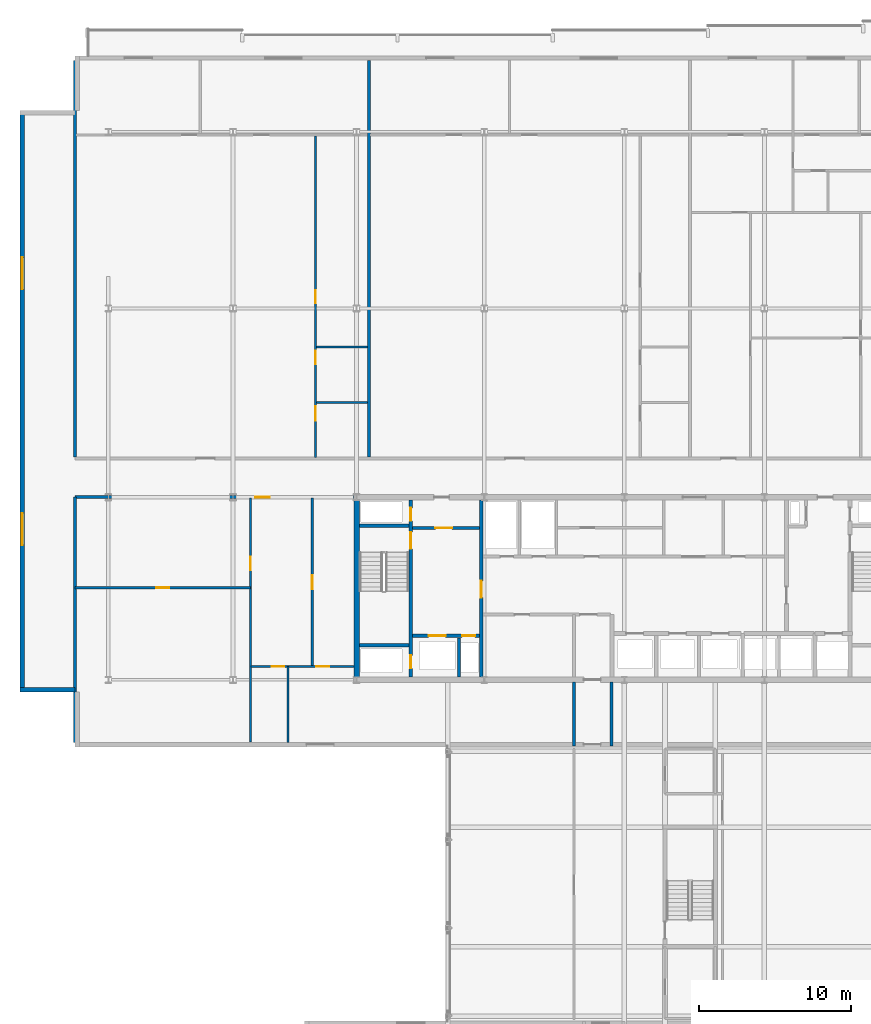
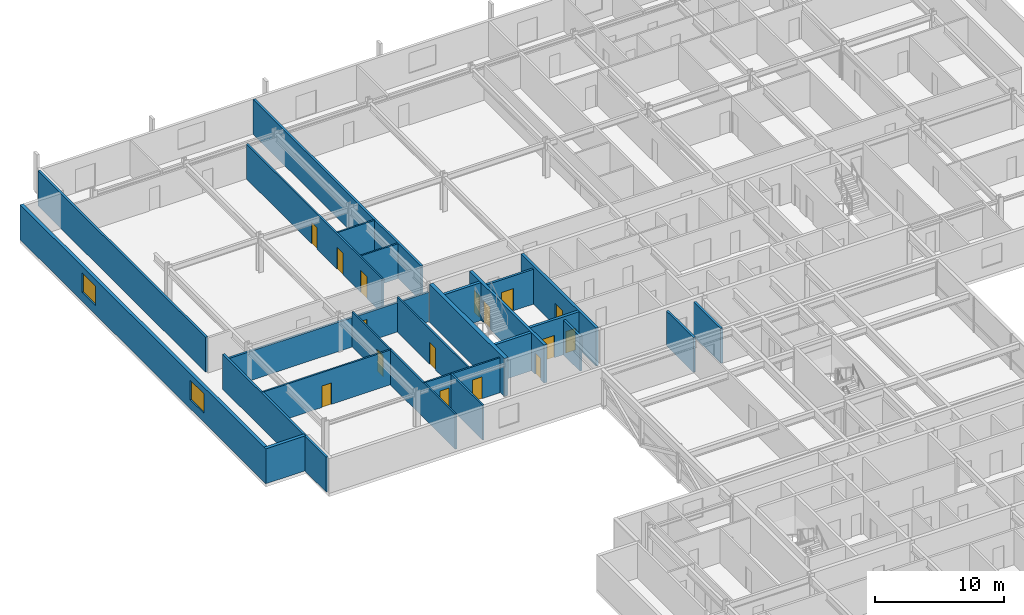
# One storey, part 24 of 36: 24 walls, 16 doors, 2 windows, 18 openings.
"""IFC4 building model written with IfcOpenShell, lengths in metres."""

from ifc_helpers import new_model, si_unit, direction, frame, frame_2d, origin, place, context, subcontext, project, spatial, rectangle, extrude, material, layer, layer_set, type_object, element, fill, save


model = new_model("IFC4")

# Units and contexts
model_context = context("Model", 3, precision=1e-05, world=origin(), true_north=direction((0.0, 1.0)))
body_context = subcontext(model_context, "Body", "Model", "MODEL_VIEW")
ifc_project = project(units=[si_unit("LENGTHUNIT", "METRE"), si_unit("AREAUNIT", "SQUARE_METRE"), si_unit("VOLUMEUNIT", "CUBIC_METRE"), si_unit("PLANEANGLEUNIT", "RADIAN"), si_unit("MASSUNIT", "GRAM", prefix="KILO")], contexts=[model_context])

# Site, building, storey
site_placement = place(None, origin())
site = spatial("IfcSite", under=ifc_project, at=site_placement, CompositionType="ELEMENT")
building_placement = place(site_placement, origin())
building = spatial("IfcBuilding", under=site, at=building_placement, Name="Korimba Cascade Residences", CompositionType="ELEMENT")
storey_placement = place(building_placement, frame((0.0, 0.0, 142.89990234375)))
storey = spatial("IfcBuildingStorey", under=building, at=storey_placement, Name="L41", CompositionType="ELEMENT", Elevation=142.89990234375)

# Wall, openings, windows
ifc_material_1 = material(Name="Precast concrete C40/50", Category="concrete")
ifc_layer_1 = layer(ifc_material_1, 0.300048828125)
ifc_layer_set_1 = layer_set([ifc_layer_1], Name="Precast concrete C40/50")
wall_type_1 = type_object("IfcWallType", Name="EW-STONE-300", PredefinedType="STANDARD", material=ifc_layer_set_1)
wall_1_placement = place(storey_placement, frame((54.14990234375, 92.60009765625, 0.0), z_axis=(0.0, 0.0, 1.0), x_axis=(0.0, -1.0, 0.0)))
wall_1 = element("IfcWall", 1, at=wall_1_placement, inside=storey, type_object=wall_type_1, Name="L41 T1 Perimeter Stone Wall E09", PredefinedType="STANDARD", context=body_context, shape_type="SweptSolid", body=[
    extrude(rectangle(XDim=38.2001953125, YDim=0.300048828125, at=frame_2d((19.10009765625, 0.0))), origin(), (0.0, 0.0, 1.0), 3.31005859375),
])
opening_1_placement = place(wall_1_placement, frame((9.64599609375, 0.0, 0.85009765625)))
opening_1 = element("IfcOpeningElement", 2, at=opening_1_placement, cuts=wall_1, Name="Opening W-03", PredefinedType="OPENING", context=body_context, shape_type="SweptSolid", body=[
    extrude(rectangle(XDim=2.10009765625, YDim=1.85009765625, at=frame_2d((1.050048828125, 0.925048828125))), frame((0.0, 0.16015625, 0.0), z_axis=(0.0, -1.0, 0.0), x_axis=(1.0, 0.0, 0.0)), (0.0, 0.0, 1.0), 0.320068359375),
])
opening_2_placement = place(wall_1_placement, frame((26.4541015625, 0.0, 0.85009765625)))
opening_2 = element("IfcOpeningElement", 3, at=opening_2_placement, cuts=wall_1, Name="Opening W-03", PredefinedType="OPENING", context=body_context, shape_type="SweptSolid", body=[
    extrude(rectangle(XDim=2.10009765625, YDim=1.85009765625, at=frame_2d((1.050048828125, 0.925048828125))), frame((0.0, 0.16015625, 0.0), z_axis=(0.0, -1.0, 0.0), x_axis=(1.0, 0.0, 0.0)), (0.0, 0.0, 1.0), 0.320068359375),
])
ifc_material_2 = material(Name="Double-Glazed Aluminium Window", Category="aluminium")
window_type = type_object("IfcWindowType", Name="WIN-CRN-2100", PartitioningType="DOUBLE_PANEL_HORIZONTAL", PredefinedType="WINDOW", material=ifc_material_2)
window_1_placement = place(opening_1_placement, origin())
window_1 = element("IfcWindow", 4, at=window_1_placement, inside=storey, type_object=window_type, Name="L41 T1 End View Window 9.1", OverallHeight=1.85009765625, OverallWidth=2.10009765625, PartitioningType="DOUBLE_PANEL_HORIZONTAL", PredefinedType="WINDOW", context=body_context, shape_type="SweptSolid", body=[
    extrude(rectangle(XDim=2.10009765625, YDim=1.85009765625, at=frame_2d((1.050048828125, 0.925048828125))), frame((0.0, 0.030029296875, 0.0), z_axis=(0.0, -1.0, 0.0), x_axis=(1.0, 0.0, 0.0)), (0.0, 0.0, 1.0), 0.06005859375),
])
fill(opening_1, window_1)
window_2_placement = place(opening_2_placement, origin())
window_2 = element("IfcWindow", 5, at=window_2_placement, inside=storey, type_object=window_type, Name="L41 T1 End View Window 9.2", OverallHeight=1.85009765625, OverallWidth=2.10009765625, PartitioningType="DOUBLE_PANEL_HORIZONTAL", PredefinedType="WINDOW", context=body_context, shape_type="SweptSolid", body=[
    extrude(rectangle(XDim=2.10009765625, YDim=1.85009765625, at=frame_2d((1.050048828125, 0.925048828125))), frame((0.0, 0.030029296875, 0.0), z_axis=(0.0, -1.0, 0.0), x_axis=(1.0, 0.0, 0.0)), (0.0, 0.0, 1.0), 0.06005859375),
])
fill(opening_2, window_2)

# Walls
wall_2_placement = place(storey_placement, frame((54.0, 54.550048828125, 0.0), z_axis=(0.0, 0.0, 1.0), x_axis=(1.0, 0.0, 0.0)))
element("IfcWall", 6, at=wall_2_placement, inside=storey, type_object=wall_type_1, Name="L41 T1 Perimeter Stone Wall E10", PredefinedType="STANDARD", context=body_context, shape_type="SweptSolid", body=[
    extrude(rectangle(XDim=3.60009765625, YDim=0.300048828125, at=frame_2d((1.800048828125, 0.0))), origin(), (0.0, 0.0, 1.0), 3.31005859375),
])
ifc_material_3 = material(Name="Concrete C65/80", Category="concrete")
ifc_layer_2 = layer(ifc_material_3, 0.35009765625)
ifc_layer_set_2 = layer_set([ifc_layer_2], Name="Concrete C65/80")
wall_type_2 = type_object("IfcWallType", Name="WAL-CORE-350", PredefinedType="SHEAR", material=ifc_layer_set_2)
wall_3_placement = place(storey_placement, frame((76.125, 55.375, 0.0), z_axis=(0.0, 0.0, 1.0), x_axis=(0.0, 1.0, 0.0)))
element("IfcWall", 7, at=wall_3_placement, inside=storey, type_object=wall_type_2, Name="L41 Core Shear Wall CW-L41-T1-W", PredefinedType="SHEAR", context=body_context, shape_type="SweptSolid", body=[
    extrude(rectangle(XDim=11.64990234375, YDim=0.35009765625, at=frame_2d((5.824951171875, 0.0))), origin(), (0.0, 0.0, 1.0), 3.60009765625),
])
ifc_layer_3 = layer(ifc_material_1, 0.199951171875)
ifc_layer_set_3 = layer_set([ifc_layer_3], Name="Precast concrete C40/50")
wall_type_3 = type_object("IfcWallType", Name="WAL-IT-200", PredefinedType="PARTITIONING", material=ifc_layer_set_3)
wall_4_placement = place(storey_placement, frame((57.60009765625, 51.10009765625, 0.0), z_axis=(0.0, 0.0, 1.0), x_axis=(0.0, 1.0, 0.0)))
element("IfcWall", 8, at=wall_4_placement, inside=storey, type_object=wall_type_3, Name="L41 Partition Wall WAL-L41-T1-FW-WL", PredefinedType="PARTITIONING", context=body_context, shape_type="SweptSolid", body=[
    extrude(rectangle(XDim=16.099853515625, YDim=0.199951171875, at=frame_2d((8.0498046875, 0.0))), origin(), (0.0, 0.0, 1.0), 3.31005859375),
])

# Wall, opening, door
wall_5_placement = place(storey_placement, frame((57.60009765625, 67.199951171875, 0.0), z_axis=(0.0, 0.0, 1.0), x_axis=(1.0, 0.0, 0.0)))
wall_5 = element("IfcWall", 9, at=wall_5_placement, inside=storey, type_object=wall_type_3, Name="L41 Partition Wall WAL-L41-T1-FW-N", PredefinedType="PARTITIONING", context=body_context, shape_type="SweptSolid", body=[
    extrude(rectangle(XDim=18.349853515625, YDim=0.199951171875, at=frame_2d((9.1748046875, 0.0))), origin(), (0.0, 0.0, 1.0), 2.7734375),
])
opening_3_placement = place(wall_5_placement, frame((11.8701171875, 0.0, 0.0)))
opening_3 = element("IfcOpeningElement", 10, at=opening_3_placement, cuts=wall_5, Name="Opening D-UN1", PredefinedType="OPENING", context=body_context, shape_type="SweptSolid", body=[
    extrude(rectangle(XDim=0.949951171875, YDim=2.14990234375, at=frame_2d((0.47509765625, 1.074951171875))), frame((0.0, 0.10986328125, 0.0), z_axis=(0.0, -1.0, 0.0), x_axis=(1.0, 0.0, 0.0)), (0.0, 0.0, 1.0), 0.219970703125),
])
ifc_material_4 = material(Name="Fire-Rated Hardwood Apartment Entrance Door", Category="wood")
door_type_1 = type_object("IfcDoorType", Name="DR-FD60-950", OperationType="NOTDEFINED", PredefinedType="DOOR", material=ifc_material_4)
door_1_placement = place(opening_3_placement, origin())
door_1 = element("IfcDoor", 11, at=door_1_placement, inside=storey, type_object=door_type_1, Name="L41-T1-FW Entrance Door", OperationType="SINGLE_SWING_RIGHT", OverallHeight=2.14990234375, OverallWidth=0.949951171875, PredefinedType="DOOR", context=body_context, shape_type="SweptSolid", body=[
    extrude(rectangle(XDim=0.949951171875, YDim=2.14990234375, at=frame_2d((0.47509765625, 1.074951171875))), frame((0.0, 0.02490234375, 0.0), z_axis=(0.0, -1.0, 0.0), x_axis=(1.0, 0.0, 0.0)), (0.0, 0.0, 1.0), 0.050048828125),
])
fill(opening_3, door_1)

# Walls
for number, where, z_axis, x_axis, name in (
    (12, (57.60009765625, 69.830078125, 0.0), (0.0, 0.0, 1.0), (0.0, 1.0, 0.0), "L41 Partition Wall WAL-L41-T1-BNDWL"),
    (13, (76.914306640625, 69.830078125, 0.0), (0.0, 0.0, 1.0), (0.0, 1.0, 0.0), "L41 Partition Wall WAL-L41-T1-DEM-1"),
):
    element("IfcWall", number, at=place(storey_placement, frame(where, z_axis=z_axis, x_axis=x_axis)), inside=storey, type_object=wall_type_3, Name=name, PredefinedType="PARTITIONING", context=body_context, shape_type="SweptSolid", body=[
        extrude(rectangle(XDim=26.06982421875, YDim=0.199951171875, at=frame_2d((13.034912109375, 0.0))), origin(), (0.0, 0.0, 1.0), 3.31005859375),
    ])

# Wall, opening, door
ifc_material_5 = material(Name="Insulated Acoustic Stud Partition", Category="gypsum")
ifc_layer_4 = layer(ifc_material_5, 0.14990234375)
ifc_layer_set_4 = layer_set([ifc_layer_4], Name="Insulated Acoustic Stud Partition")
wall_type_4 = type_object("IfcWallType", Name="WAL-PART-150", PredefinedType="PARTITIONING", material=ifc_layer_set_4)
wall_6_placement = place(storey_placement, frame((57.60009765625, 61.25, 0.0), z_axis=(0.0, 0.0, 1.0), x_axis=(1.0, 0.0, 0.0)))
wall_6 = element("IfcWall", 14, at=wall_6_placement, inside=storey, type_object=wall_type_4, Name="L41 Partition Wall WAL-L41-T1-FW-STH", PredefinedType="PARTITIONING", context=body_context, shape_type="SweptSolid", body=[
    extrude(rectangle(XDim=11.5498046875, YDim=0.14990234375, at=frame_2d((5.77490234375, 0.0))), origin(), (0.0, 0.0, 1.0), 3.31005859375),
])
opening_4_placement = place(wall_6_placement, frame((5.35498046875, 0.0, 0.0)))
opening_4 = element("IfcOpeningElement", 15, at=opening_4_placement, cuts=wall_6, Name="Opening D-BT1", PredefinedType="OPENING", context=body_context, shape_type="SweptSolid", body=[
    extrude(rectangle(XDim=0.840087890625, YDim=2.0400390625, at=frame_2d((0.419921875, 1.02001953125))), frame((0.0, 0.0849609375, 0.0), z_axis=(0.0, -1.0, 0.0), x_axis=(1.0, 0.0, 0.0)), (0.0, 0.0, 1.0), 0.169921875),
])
ifc_material_6 = material(Name="Moisture-Resistant Bathroom Timber Door", Category="wood")
door_type_2 = type_object("IfcDoorType", Name="DR-INT-850", OperationType="NOTDEFINED", PredefinedType="DOOR", material=ifc_material_6)
door_2_placement = place(opening_4_placement, origin())
door_2 = element("IfcDoor", 16, at=door_2_placement, inside=storey, type_object=door_type_2, Name="L41-T1-FW Dressing Store Door", OperationType="SINGLE_SWING_LEFT", OverallHeight=2.0400390625, OverallWidth=0.840087890625, PredefinedType="DOOR", context=body_context, shape_type="SweptSolid", body=[
    extrude(rectangle(XDim=0.840087890625, YDim=2.0400390625, at=frame_2d((0.419921875, 1.02001953125))), frame((0.0, 0.02490234375, 0.0), z_axis=(0.0, -1.0, 0.0), x_axis=(1.0, 0.0, 0.0)), (0.0, 0.0, 1.0), 0.050048828125),
])
fill(opening_4, door_2)

wall_7_placement = place(storey_placement, frame((69.14990234375, 51.10009765625, 0.0), z_axis=(0.0, 0.0, 1.0), x_axis=(0.0, 1.0, 0.0)))
wall_7 = element("IfcWall", 17, at=wall_7_placement, inside=storey, type_object=wall_type_4, Name="L41 Partition Wall WAL-L41-T1-FW-STV", PredefinedType="PARTITIONING", context=body_context, shape_type="SweptSolid", body=[
    extrude(rectangle(XDim=16.0498046875, YDim=0.14990234375, at=frame_2d((8.02490234375, 0.0))), origin(), (0.0, 0.0, 1.0), 3.31005859375),
])
opening_5_placement = place(wall_7_placement, frame((11.300048828125, 0.0, 0.0)))
opening_5 = element("IfcOpeningElement", 18, at=opening_5_placement, cuts=wall_7, Name="Opening D-IN2", PredefinedType="OPENING", context=body_context, shape_type="SweptSolid", body=[
    extrude(rectangle(XDim=0.8798828125, YDim=2.06005859375, at=frame_2d((0.43994140625, 1.030029296875))), frame((0.0, 0.0849609375, 0.0), z_axis=(0.0, -1.0, 0.0), x_axis=(1.0, 0.0, 0.0)), (0.0, 0.0, 1.0), 0.169921875),
])
ifc_material_7 = material(Name="Acoustic Timber Bedroom Door", Category="wood")
door_type_3 = type_object("IfcDoorType", Name="DR-INT-880", OperationType="NOTDEFINED", PredefinedType="DOOR", material=ifc_material_7)
door_3_placement = place(opening_5_placement, origin())
door_3 = element("IfcDoor", 19, at=door_3_placement, inside=storey, type_object=door_type_3, Name="L41-T1-FW Study Door", OperationType="SINGLE_SWING_RIGHT", OverallHeight=2.06005859375, OverallWidth=0.8798828125, PredefinedType="DOOR", context=body_context, shape_type="SweptSolid", body=[
    extrude(rectangle(XDim=0.8798828125, YDim=2.06005859375, at=frame_2d((0.43994140625, 1.030029296875))), frame((0.0, 0.02490234375, 0.0), z_axis=(0.0, -1.0, 0.0), x_axis=(1.0, 0.0, 0.0)), (0.0, 0.0, 1.0), 0.050048828125),
])
fill(opening_5, door_3)

wall_8_placement = place(storey_placement, frame((73.199951171875, 56.070068359375, 0.0), z_axis=(0.0, 0.0, 1.0), x_axis=(0.0, 1.0, 0.0)))
wall_8 = element("IfcWall", 20, at=wall_8_placement, inside=storey, type_object=wall_type_4, Name="L41 Partition Wall WAL-L41-T1-FW-VN", PredefinedType="PARTITIONING", context=body_context, shape_type="SweptSolid", body=[
    extrude(rectangle(XDim=11.079833984375, YDim=0.14990234375, at=frame_2d((5.5400390625, 0.0))), origin(), (0.0, 0.0, 1.0), 3.31005859375),
])
opening_6_placement = place(wall_8_placement, frame((5.080078125, 0.0, 0.0)))
opening_6 = element("IfcOpeningElement", 21, at=opening_6_placement, cuts=wall_8, Name="Opening D-IN1", PredefinedType="OPENING", context=body_context, shape_type="SweptSolid", body=[
    extrude(rectangle(XDim=0.919921875, YDim=2.080078125, at=frame_2d((0.4599609375, 1.0400390625))), frame((0.0, 0.0849609375, 0.0), z_axis=(0.0, -1.0, 0.0), x_axis=(1.0, 0.0, 0.0)), (0.0, 0.0, 1.0), 0.169921875),
])
ifc_material_8 = material(Name="Acoustic Timber Living Door", Category="wood")
door_type_4 = type_object("IfcDoorType", Name="DR-INT-920", OperationType="NOTDEFINED", PredefinedType="DOOR", material=ifc_material_8)
door_4_placement = place(opening_6_placement, origin())
door_4 = element("IfcDoor", 22, at=door_4_placement, inside=storey, type_object=door_type_4, Name="L41-T1-FW Living Door", OperationType="SINGLE_SWING_LEFT", OverallHeight=2.080078125, OverallWidth=0.919921875, PredefinedType="DOOR", context=body_context, shape_type="SweptSolid", body=[
    extrude(rectangle(XDim=0.919921875, YDim=2.080078125, at=frame_2d((0.4599609375, 1.0400390625))), frame((0.0, 0.02490234375, 0.0), z_axis=(0.0, -1.0, 0.0), x_axis=(1.0, 0.0, 0.0)), (0.0, 0.0, 1.0), 0.050048828125),
])
fill(opening_6, door_4)

# Wall
wall_9_placement = place(storey_placement, frame((71.60009765625, 51.10009765625, 0.0), z_axis=(0.0, 0.0, 1.0), x_axis=(0.0, 1.0, 0.0)))
element("IfcWall", 23, at=wall_9_placement, inside=storey, type_object=wall_type_4, Name="L41 Partition Wall WAL-L41-T1-FW-VS", PredefinedType="PARTITIONING", context=body_context, shape_type="SweptSolid", body=[
    extrude(rectangle(XDim=4.969970703125, YDim=0.14990234375, at=frame_2d((2.48486328125, 0.0))), origin(), (0.0, 0.0, 1.0), 3.31005859375),
])

# Wall, openings, doors
wall_10_placement = place(storey_placement, frame((69.169921875, 56.070068359375, 0.0), z_axis=(0.0, 0.0, 1.0), x_axis=(1.0, 0.0, 0.0)))
wall_10 = element("IfcWall", 24, at=wall_10_placement, inside=storey, type_object=wall_type_4, Name="L41 Partition Wall WAL-L41-T1-FW-H", PredefinedType="PARTITIONING", context=body_context, shape_type="SweptSolid", body=[
    extrude(rectangle(XDim=6.760009765625, YDim=0.14990234375, at=frame_2d((3.3798828125, 0.0))), origin(), (0.0, 0.0, 1.0), 3.31005859375),
])
opening_7_placement = place(wall_10_placement, frame((1.3623046875, 0.0, 0.0)))
opening_7 = element("IfcOpeningElement", 25, at=opening_7_placement, cuts=wall_10, Name="Opening D-BT1", PredefinedType="OPENING", context=body_context, shape_type="SweptSolid", body=[
    extrude(rectangle(XDim=0.840087890625, YDim=2.0400390625, at=frame_2d((0.419921875, 1.02001953125))), frame((0.0, 0.0849609375, 0.0), z_axis=(0.0, -1.0, 0.0), x_axis=(1.0, 0.0, 0.0)), (0.0, 0.0, 1.0), 0.169921875),
])
opening_8_placement = place(wall_10_placement, frame((4.276611328125, 0.0, 0.0)))
opening_8 = element("IfcOpeningElement", 26, at=opening_8_placement, cuts=wall_10, Name="Opening D-IN2", PredefinedType="OPENING", context=body_context, shape_type="SweptSolid", body=[
    extrude(rectangle(XDim=0.8798828125, YDim=2.06005859375, at=frame_2d((0.43994140625, 1.030029296875))), frame((0.0, 0.0849609375, 0.0), z_axis=(0.0, -1.0, 0.0), x_axis=(1.0, 0.0, 0.0)), (0.0, 0.0, 1.0), 0.169921875),
])
door_5_placement = place(opening_7_placement, origin())
door_5 = element("IfcDoor", 27, at=door_5_placement, inside=storey, type_object=door_type_2, Name="L41-T1-FW Bathroom Door", OperationType="SINGLE_SWING_RIGHT", OverallHeight=2.0400390625, OverallWidth=0.840087890625, PredefinedType="DOOR", context=body_context, shape_type="SweptSolid", body=[
    extrude(rectangle(XDim=0.840087890625, YDim=2.0400390625, at=frame_2d((0.419921875, 1.02001953125))), frame((0.0, 0.02490234375, 0.0), z_axis=(0.0, -1.0, 0.0), x_axis=(1.0, 0.0, 0.0)), (0.0, 0.0, 1.0), 0.050048828125),
])
fill(opening_7, door_5)
door_6_placement = place(opening_8_placement, origin())
door_6 = element("IfcDoor", 28, at=door_6_placement, inside=storey, type_object=door_type_3, Name="L41-T1-FW Bedroom Door", OperationType="SINGLE_SWING_LEFT", OverallHeight=2.06005859375, OverallWidth=0.8798828125, PredefinedType="DOOR", context=body_context, shape_type="SweptSolid", body=[
    extrude(rectangle(XDim=0.8798828125, YDim=2.06005859375, at=frame_2d((0.43994140625, 1.030029296875))), frame((0.0, 0.02490234375, 0.0), z_axis=(0.0, -1.0, 0.0), x_axis=(1.0, 0.0, 0.0)), (0.0, 0.0, 1.0), 0.050048828125),
])
fill(opening_8, door_6)

# Walls
for number, where, z_axis, x_axis, name in (
    (29, (73.474365234375, 73.419921875, 0.0), (0.0, 0.0, 1.0), (1.0, 0.0, 0.0), "L41 Partition Wall WAL-L41-T1-U01-WCH"),
    (30, (73.474365234375, 77.070068359375, 0.0), (0.0, 0.0, 1.0), (1.0, 0.0, 0.0), "L41 Partition Wall WAL-L41-T1-U01-WCH2"),
):
    element("IfcWall", number, at=place(storey_placement, frame(where, z_axis=z_axis, x_axis=x_axis)), inside=storey, type_object=wall_type_4, Name=name, PredefinedType="PARTITIONING", context=body_context, shape_type="SweptSolid", body=[
        extrude(rectangle(XDim=3.35986328125, YDim=0.14990234375, at=frame_2d((1.679931640625, 0.0))), origin(), (0.0, 0.0, 1.0), 3.31005859375),
    ])

# Wall, openings, doors
wall_11_placement = place(storey_placement, frame((73.414306640625, 69.81005859375, 0.0), z_axis=(0.0, 0.0, 1.0), x_axis=(0.0, 1.0, 0.0)))
wall_11 = element("IfcWall", 31, at=wall_11_placement, inside=storey, type_object=wall_type_4, Name="L41 Partition Wall WAL-L41-T1-U01-WCV", PredefinedType="PARTITIONING", context=body_context, shape_type="SweptSolid", body=[
    extrude(rectangle(XDim=21.1298828125, YDim=0.14990234375, at=frame_2d((10.56494140625, 0.0))), origin(), (0.0, 0.0, 1.0), 3.31005859375),
])
opening_9_placement = place(wall_11_placement, frame((2.406005859375, 0.0, 0.0)))
opening_9 = element("IfcOpeningElement", 32, at=opening_9_placement, cuts=wall_11, Name="Opening D-AC1", PredefinedType="OPENING", context=body_context, shape_type="SweptSolid", body=[
    extrude(rectangle(XDim=0.9599609375, YDim=2.10009765625, at=frame_2d((0.47998046875, 1.050048828125))), frame((0.0, 0.0849609375, 0.0), z_axis=(0.0, -1.0, 0.0), x_axis=(1.0, 0.0, 0.0)), (0.0, 0.0, 1.0), 0.169921875),
])
opening_10_placement = place(wall_11_placement, frame((6.132568359375, 0.0, 0.0)))
opening_10 = element("IfcOpeningElement", 33, at=opening_10_placement, cuts=wall_11, Name="Opening D-IN2", PredefinedType="OPENING", context=body_context, shape_type="SweptSolid", body=[
    extrude(rectangle(XDim=0.8798828125, YDim=2.06005859375, at=frame_2d((0.43994140625, 1.030029296875))), frame((0.0, 0.0849609375, 0.0), z_axis=(0.0, -1.0, 0.0), x_axis=(1.0, 0.0, 0.0)), (0.0, 0.0, 1.0), 0.169921875),
])
opening_11_placement = place(wall_11_placement, frame((10.14501953125, 0.0, 0.0)))
opening_11 = element("IfcOpeningElement", 34, at=opening_11_placement, cuts=wall_11, Name="Opening D-BT1", PredefinedType="OPENING", context=body_context, shape_type="SweptSolid", body=[
    extrude(rectangle(XDim=0.840087890625, YDim=2.0400390625, at=frame_2d((0.419921875, 1.02001953125))), frame((0.0, 0.0849609375, 0.0), z_axis=(0.0, -1.0, 0.0), x_axis=(1.0, 0.0, 0.0)), (0.0, 0.0, 1.0), 0.169921875),
])
ifc_material_9 = material(Name="Accessible Acoustic Timber WC Door", Category="wood")
door_type_5 = type_object("IfcDoorType", Name="DR-ACC-950", OperationType="NOTDEFINED", PredefinedType="DOOR", material=ifc_material_9)
door_7_placement = place(opening_9_placement, origin())
door_7 = element("IfcDoor", 35, at=door_7_placement, inside=storey, type_object=door_type_5, Name="L41-T1-U01 Accessible WC Door", OperationType="SINGLE_SWING_LEFT", OverallHeight=2.10009765625, OverallWidth=0.9599609375, PredefinedType="DOOR", context=body_context, shape_type="SweptSolid", body=[
    extrude(rectangle(XDim=0.9599609375, YDim=2.10009765625, at=frame_2d((0.47998046875, 1.050048828125))), frame((0.0, 0.02490234375, 0.0), z_axis=(0.0, -1.0, 0.0), x_axis=(1.0, 0.0, 0.0)), (0.0, 0.0, 1.0), 0.050048828125),
])
fill(opening_9, door_7)
door_8_placement = place(opening_11_placement, origin())
door_8 = element("IfcDoor", 36, at=door_8_placement, inside=storey, type_object=door_type_2, Name="L41-T1-U01 Suite Store Door", OperationType="SINGLE_SWING_LEFT", OverallHeight=2.0400390625, OverallWidth=0.840087890625, PredefinedType="DOOR", context=body_context, shape_type="SweptSolid", body=[
    extrude(rectangle(XDim=0.840087890625, YDim=2.0400390625, at=frame_2d((0.419921875, 1.02001953125))), frame((0.0, 0.02490234375, 0.0), z_axis=(0.0, -1.0, 0.0), x_axis=(1.0, 0.0, 0.0)), (0.0, 0.0, 1.0), 0.050048828125),
])
fill(opening_11, door_8)
door_9_placement = place(opening_10_placement, origin())
door_9 = element("IfcDoor", 37, at=door_9_placement, inside=storey, type_object=door_type_3, Name="L41-T1-U01 Restroom WC Door", OperationType="SINGLE_SWING_RIGHT", OverallHeight=2.06005859375, OverallWidth=0.8798828125, PredefinedType="DOOR", context=body_context, shape_type="SweptSolid", body=[
    extrude(rectangle(XDim=0.8798828125, YDim=2.06005859375, at=frame_2d((0.43994140625, 1.030029296875))), frame((0.0, 0.02490234375, 0.0), z_axis=(0.0, -1.0, 0.0), x_axis=(1.0, 0.0, 0.0)), (0.0, 0.0, 1.0), 0.050048828125),
])
fill(opening_10, door_9)

# Wall
ifc_material_10 = material(Name="Concrete C40/50", Category="concrete")
ifc_layer_5 = layer(ifc_material_10, 0.199951171875)
ifc_layer_set_5 = layer_set([ifc_layer_5], Name="Concrete C40/50")
wall_type_5 = type_object("IfcWallType", Name="WAL-PART-200", PredefinedType="PARTITIONING", material=ifc_layer_set_5)
wall_12_placement = place(storey_placement, frame((82.85009765625, 55.39990234375, 0.0), z_axis=(0.0, 0.0, 1.0), x_axis=(0.0, 1.0, 0.0)))
element("IfcWall", 38, at=wall_12_placement, inside=storey, type_object=wall_type_5, Name="L41 Partition Wall CW-L41-T1-FFLDIV", PredefinedType="PARTITIONING", context=body_context, shape_type="SweptSolid", body=[
    extrude(rectangle(XDim=2.56005859375, YDim=0.199951171875, at=frame_2d((1.280029296875, 0.0))), origin(), (0.0, 0.0, 1.0), 3.31005859375),
])

# Wall, opening, door
wall_13_placement = place(storey_placement, frame((79.7900390625, 65.179931640625, 0.0), z_axis=(0.0, 0.0, 1.0), x_axis=(1.0, 0.0, 0.0)))
wall_13 = element("IfcWall", 39, at=wall_13_placement, inside=storey, type_object=wall_type_5, Name="L41 Partition Wall CW-L41-T1-FFLN", PredefinedType="PARTITIONING", context=body_context, shape_type="SweptSolid", body=[
    extrude(rectangle(XDim=4.389892578125, YDim=0.199951171875, at=frame_2d((2.19482421875, 0.0))), origin(), (0.0, 0.0, 1.0), 3.31005859375),
])
opening_12_placement = place(wall_13_placement, frame((1.5, 0.0, 0.0)))
opening_12 = element("IfcOpeningElement", 40, at=opening_12_placement, cuts=wall_13, Name="Opening D-FD1", PredefinedType="OPENING", context=body_context, shape_type="SweptSolid", body=[
    extrude(rectangle(XDim=1.10009765625, YDim=2.10009765625, at=frame_2d((0.550048828125, 1.050048828125))), frame((0.0, 0.10986328125, 0.0), z_axis=(0.0, -1.0, 0.0), x_axis=(1.0, 0.0, 0.0)), (0.0, 0.0, 1.0), 0.219970703125),
])
ifc_material_11 = material(Name="Fire-Rated Steel Core Door", Category="steel")
door_type_6 = type_object("IfcDoorType", Name="DR-FD120-1100", OperationType="NOTDEFINED", PredefinedType="DOOR", material=ifc_material_11)
door_10_placement = place(opening_12_placement, origin())
door_10 = element("IfcDoor", 41, at=door_10_placement, inside=storey, type_object=door_type_6, Name="L41 West Firefighting Lobby Door", OperationType="SINGLE_SWING_RIGHT", OverallHeight=2.10009765625, OverallWidth=1.10009765625, PredefinedType="DOOR", context=body_context, shape_type="SweptSolid", body=[
    extrude(rectangle(XDim=1.10009765625, YDim=2.10009765625, at=frame_2d((0.550048828125, 1.050048828125))), frame((0.0, 0.02490234375, 0.0), z_axis=(0.0, -1.0, 0.0), x_axis=(1.0, 0.0, 0.0)), (0.0, 0.0, 1.0), 0.050048828125),
])
fill(opening_12, door_10)

# Walls
for number, where, z_axis, x_axis, name in (
    (42, (90.39990234375, 50.85009765625, 0.0), (0.0, 0.0, 1.0), (0.0, 1.0, 0.0), "L41 Partition Wall WAL-L41-T1-SBRGW"),
    (43, (92.85009765625, 50.85009765625, 0.0), (0.0, 0.0, 1.0), (0.0, 1.0, 0.0), "L41 Partition Wall WAL-L41-T1-SBRGE"),
):
    element("IfcWall", number, at=place(storey_placement, frame(where, z_axis=z_axis, x_axis=x_axis)), inside=storey, type_object=wall_type_5, Name=name, PredefinedType="PARTITIONING", context=body_context, shape_type="SweptSolid", body=[
        extrude(rectangle(XDim=4.199951171875, YDim=0.199951171875, at=frame_2d((2.10009765625, 0.0))), origin(), (0.0, 0.0, 1.0), 3.31005859375),
    ])

# Wall, openings, doors
ifc_material_12 = material(Name="Concrete C50/60", Category="concrete")
ifc_layer_6 = layer(ifc_material_12, 0.25)
ifc_layer_set_6 = layer_set([ifc_layer_6], Name="Concrete C50/60")
wall_type_6 = type_object("IfcWallType", Name="WAL-SHAFT-250", PredefinedType="SHEAR", material=ifc_layer_set_6)
wall_14_placement = place(storey_placement, frame((79.6650390625, 55.39990234375, 0.0), z_axis=(0.0, 0.0, 1.0), x_axis=(0.0, 1.0, 0.0)))
wall_14 = element("IfcWall", 44, at=wall_14_placement, inside=storey, type_object=wall_type_6, Name="L41 Core Shear Wall CW-L41-T1-STW1E", PredefinedType="SHEAR", context=body_context, shape_type="SweptSolid", body=[
    extrude(rectangle(XDim=11.60009765625, YDim=0.25, at=frame_2d((5.800048828125, 0.0))), origin(), (0.0, 0.0, 1.0), 3.60009765625),
])
opening_13_placement = place(wall_14_placement, frame((0.550048828125, 0.0, 0.0)))
opening_13 = element("IfcOpeningElement", 45, at=opening_13_placement, cuts=wall_14, Name="Opening D-RS1", PredefinedType="OPENING", context=body_context, shape_type="SweptSolid", body=[
    extrude(rectangle(XDim=0.85009765625, YDim=2.050048828125, at=frame_2d((0.425048828125, 1.02490234375))), frame((0.0, 0.135009765625, 0.0), z_axis=(0.0, -1.0, 0.0), x_axis=(1.0, 0.0, 0.0)), (0.0, 0.0, 1.0), 0.27001953125),
])
opening_14_placement = place(wall_14_placement, frame((8.39990234375, 0.0, 0.0)))
opening_14 = element("IfcOpeningElement", 46, at=opening_14_placement, cuts=wall_14, Name="Opening D-FD1", PredefinedType="OPENING", context=body_context, shape_type="SweptSolid", body=[
    extrude(rectangle(XDim=1.10009765625, YDim=2.10009765625, at=frame_2d((0.550048828125, 1.050048828125))), frame((0.0, 0.135009765625, 0.0), z_axis=(0.0, -1.0, 0.0), x_axis=(1.0, 0.0, 0.0)), (0.0, 0.0, 1.0), 0.27001953125),
])
opening_15_placement = place(wall_14_placement, frame((10.25, 0.0, 0.0)))
opening_15 = element("IfcOpeningElement", 47, at=opening_15_placement, cuts=wall_14, Name="Opening D-RS1", PredefinedType="OPENING", context=body_context, shape_type="SweptSolid", body=[
    extrude(rectangle(XDim=0.85009765625, YDim=2.050048828125, at=frame_2d((0.425048828125, 1.02490234375))), frame((0.0, 0.135009765625, 0.0), z_axis=(0.0, -1.0, 0.0), x_axis=(1.0, 0.0, 0.0)), (0.0, 0.0, 1.0), 0.27001953125),
])
door_11_placement = place(opening_14_placement, origin())
door_11 = element("IfcDoor", 48, at=door_11_placement, inside=storey, type_object=door_type_6, Name="L41 Fire Stair ST-W1 Door", OperationType="SINGLE_SWING_LEFT", OverallHeight=2.10009765625, OverallWidth=1.10009765625, PredefinedType="DOOR", context=body_context, shape_type="SweptSolid", body=[
    extrude(rectangle(XDim=1.10009765625, YDim=2.10009765625, at=frame_2d((0.550048828125, 1.050048828125))), frame((0.0, 0.02490234375, 0.0), z_axis=(0.0, -1.0, 0.0), x_axis=(1.0, 0.0, 0.0)), (0.0, 0.0, 1.0), 0.050048828125),
])
fill(opening_14, door_11)
ifc_material_13 = material(Name="Fire-Rated Steel Riser Access Door", Category="steel")
door_type_7 = type_object("IfcDoorType", Name="DR-FD60-850", OperationType="NOTDEFINED", PredefinedType="DOOR", material=ifc_material_13)
door_12_placement = place(opening_13_placement, origin())
door_12 = element("IfcDoor", 49, at=door_12_placement, inside=storey, type_object=door_type_7, Name="L41 Smoke Riser Access Door", OperationType="SINGLE_SWING_RIGHT", OverallHeight=2.050048828125, OverallWidth=0.85009765625, PredefinedType="DOOR", context=body_context, shape_type="SweptSolid", body=[
    extrude(rectangle(XDim=0.85009765625, YDim=2.050048828125, at=frame_2d((0.425048828125, 1.02490234375))), frame((0.0, 0.02490234375, 0.0), z_axis=(0.0, -1.0, 0.0), x_axis=(1.0, 0.0, 0.0)), (0.0, 0.0, 1.0), 0.050048828125),
])
fill(opening_13, door_12)
door_13_placement = place(opening_15_placement, origin())
door_13 = element("IfcDoor", 50, at=door_13_placement, inside=storey, type_object=door_type_7, Name="L41 Hydrant Riser Access Door", OperationType="SINGLE_SWING_RIGHT", OverallHeight=2.050048828125, OverallWidth=0.85009765625, PredefinedType="DOOR", context=body_context, shape_type="SweptSolid", body=[
    extrude(rectangle(XDim=0.85009765625, YDim=2.050048828125, at=frame_2d((0.425048828125, 1.02490234375))), frame((0.0, 0.02490234375, 0.0), z_axis=(0.0, -1.0, 0.0), x_axis=(1.0, 0.0, 0.0)), (0.0, 0.0, 1.0), 0.050048828125),
])
fill(opening_15, door_13)

# Walls
for number, where, z_axis, x_axis, name in (
    (51, (76.300048828125, 57.47509765625, 0.0), (0.0, 0.0, 1.0), (1.0, 0.0, 0.0), "L41 Core Shear Wall CW-L41-T1-STW1S"),
    (52, (76.300048828125, 65.324951171875, 0.0), (0.0, 0.0, 1.0), (1.0, 0.0, 0.0), "L41 Core Shear Wall CW-L41-T1-STW1N"),
):
    element("IfcWall", number, at=place(storey_placement, frame(where, z_axis=z_axis, x_axis=x_axis)), inside=storey, type_object=wall_type_6, Name=name, PredefinedType="SHEAR", context=body_context, shape_type="SweptSolid", body=[
        extrude(rectangle(XDim=3.239990234375, YDim=0.25, at=frame_2d((1.6201171875, 0.0))), origin(), (0.0, 0.0, 1.0), 3.60009765625),
    ])

# Wall, openings, doors
wall_15_placement = place(storey_placement, frame((79.7900390625, 58.10009765625, 0.0), z_axis=(0.0, 0.0, 1.0), x_axis=(1.0, 0.0, 0.0)))
wall_15 = element("IfcWall", 53, at=wall_15_placement, inside=storey, type_object=wall_type_6, Name="L41 Core Shear Wall CW-L41-T1-FFLS", PredefinedType="SHEAR", context=body_context, shape_type="SweptSolid", body=[
    extrude(rectangle(XDim=4.389892578125, YDim=0.25, at=frame_2d((2.19482421875, 0.0))), origin(), (0.0, 0.0, 1.0), 3.60009765625),
])
opening_16_placement = place(wall_15_placement, frame((1.050048828125, 0.0, 0.0)))
opening_16 = element("IfcOpeningElement", 54, at=opening_16_placement, cuts=wall_15, Name="Opening LD-01", PredefinedType="OPENING", context=body_context, shape_type="SweptSolid", body=[
    extrude(rectangle(XDim=1.1201171875, YDim=2.1201171875, at=frame_2d((0.56005859375, 1.06005859375))), frame((0.0, 0.135009765625, 0.0), z_axis=(0.0, -1.0, 0.0), x_axis=(1.0, 0.0, 0.0)), (0.0, 0.0, 1.0), 0.27001953125),
])
opening_17_placement = place(wall_15_placement, frame((3.260009765625, 0.0, 0.0)))
opening_17 = element("IfcOpeningElement", 55, at=opening_17_placement, cuts=wall_15, Name="Opening D-RS1", PredefinedType="OPENING", context=body_context, shape_type="SweptSolid", body=[
    extrude(rectangle(XDim=0.85009765625, YDim=2.050048828125, at=frame_2d((0.425048828125, 1.02490234375))), frame((0.0, 0.135009765625, 0.0), z_axis=(0.0, -1.0, 0.0), x_axis=(1.0, 0.0, 0.0)), (0.0, 0.0, 1.0), 0.27001953125),
])
door_14_placement = place(opening_17_placement, origin())
door_14 = element("IfcDoor", 56, at=door_14_placement, inside=storey, type_object=door_type_7, Name="L41 Pressurisation Riser Door", OperationType="SINGLE_SWING_LEFT", OverallHeight=2.050048828125, OverallWidth=0.85009765625, PredefinedType="DOOR", context=body_context, shape_type="SweptSolid", body=[
    extrude(rectangle(XDim=0.85009765625, YDim=2.050048828125, at=frame_2d((0.425048828125, 1.02490234375))), frame((0.0, 0.02490234375, 0.0), z_axis=(0.0, -1.0, 0.0), x_axis=(1.0, 0.0, 0.0)), (0.0, 0.0, 1.0), 0.050048828125),
])
fill(opening_17, door_14)
ifc_material_14 = material(Name="Stainless Steel Lift Landing Sliding Door", Category="steel")
door_type_8 = type_object("IfcDoorType", Name="DR-LIFT-1100", OperationType="NOTDEFINED", PredefinedType="DOOR", material=ifc_material_14)
door_15_placement = place(opening_16_placement, origin())
door_15 = element("IfcDoor", 57, at=door_15_placement, inside=storey, type_object=door_type_8, Name="L41 Firefighting Lift Landing Door FFL-W1", OperationType="SLIDING_TO_LEFT", OverallHeight=2.1201171875, OverallWidth=1.1201171875, PredefinedType="DOOR", context=body_context, shape_type="SweptSolid", body=[
    extrude(rectangle(XDim=1.1201171875, YDim=2.1201171875, at=frame_2d((0.56005859375, 1.06005859375))), frame((0.0, 0.02490234375, 0.0), z_axis=(0.0, -1.0, 0.0), x_axis=(1.0, 0.0, 0.0)), (0.0, 0.0, 1.0), 0.050048828125),
])
fill(opening_16, door_15)

# Wall, opening, door
wall_16_placement = place(storey_placement, frame((84.300048828125, 55.39990234375, 0.0), z_axis=(0.0, 0.0, 1.0), x_axis=(0.0, 1.0, 0.0)))
wall_16 = element("IfcWall", 58, at=wall_16_placement, inside=storey, type_object=wall_type_6, Name="L41 Core Shear Wall CW-L41-T1-FFLE", PredefinedType="SHEAR", context=body_context, shape_type="SweptSolid", body=[
    extrude(rectangle(XDim=11.60009765625, YDim=0.25, at=frame_2d((5.800048828125, 0.0))), origin(), (0.0, 0.0, 1.0), 3.60009765625),
])
opening_18_placement = place(wall_16_placement, frame((5.199951171875, 0.0, 0.0)))
opening_18 = element("IfcOpeningElement", 59, at=opening_18_placement, cuts=wall_16, Name="Opening D-FD1", PredefinedType="OPENING", context=body_context, shape_type="SweptSolid", body=[
    extrude(rectangle(XDim=1.10009765625, YDim=2.10009765625, at=frame_2d((0.550048828125, 1.050048828125))), frame((0.0, 0.135009765625, 0.0), z_axis=(0.0, -1.0, 0.0), x_axis=(1.0, 0.0, 0.0)), (0.0, 0.0, 1.0), 0.27001953125),
])
door_16_placement = place(opening_18_placement, origin())
door_16 = element("IfcDoor", 60, at=door_16_placement, inside=storey, type_object=door_type_6, Name="L41 Firefighting Lobby to Lift Lobby Door", OperationType="SINGLE_SWING_LEFT", OverallHeight=2.10009765625, OverallWidth=1.10009765625, PredefinedType="DOOR", context=body_context, shape_type="SweptSolid", body=[
    extrude(rectangle(XDim=1.10009765625, YDim=2.10009765625, at=frame_2d((0.550048828125, 1.050048828125))), frame((0.0, 0.02490234375, 0.0), z_axis=(0.0, -1.0, 0.0), x_axis=(1.0, 0.0, 0.0)), (0.0, 0.0, 1.0), 0.050048828125),
])
fill(opening_18, door_16)

save(model, "model.ifc")
